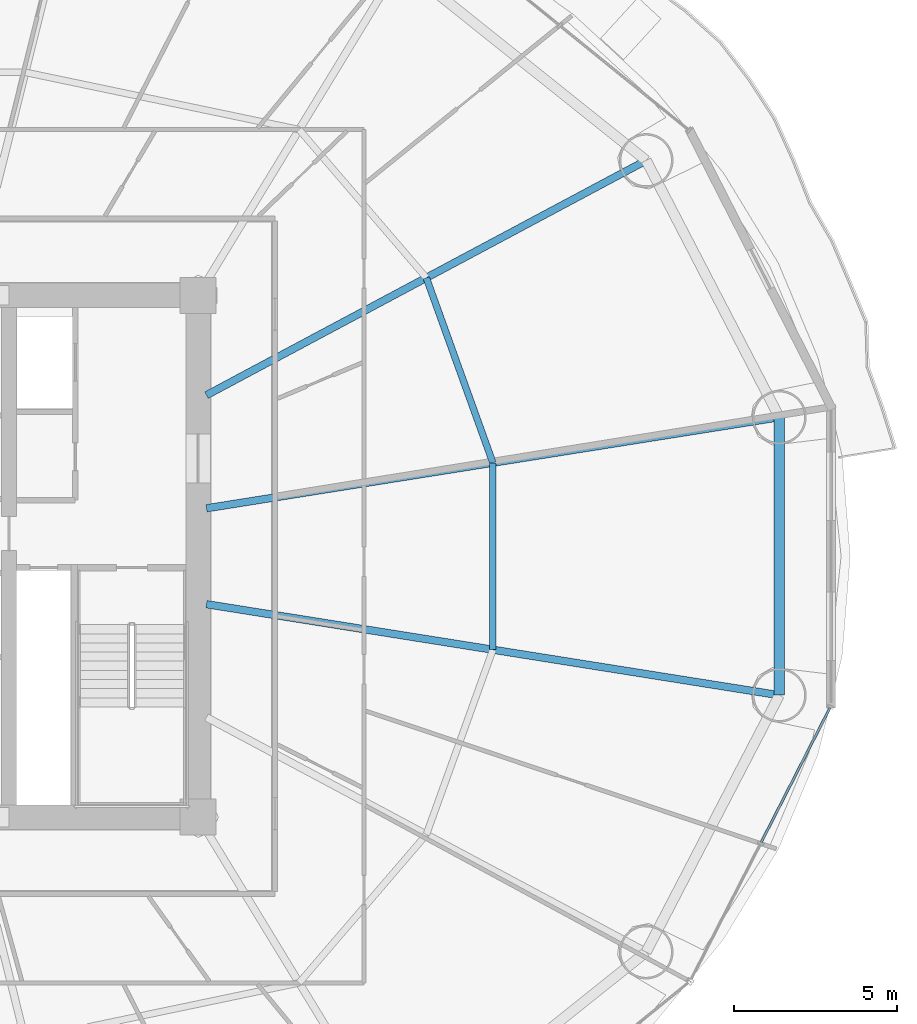
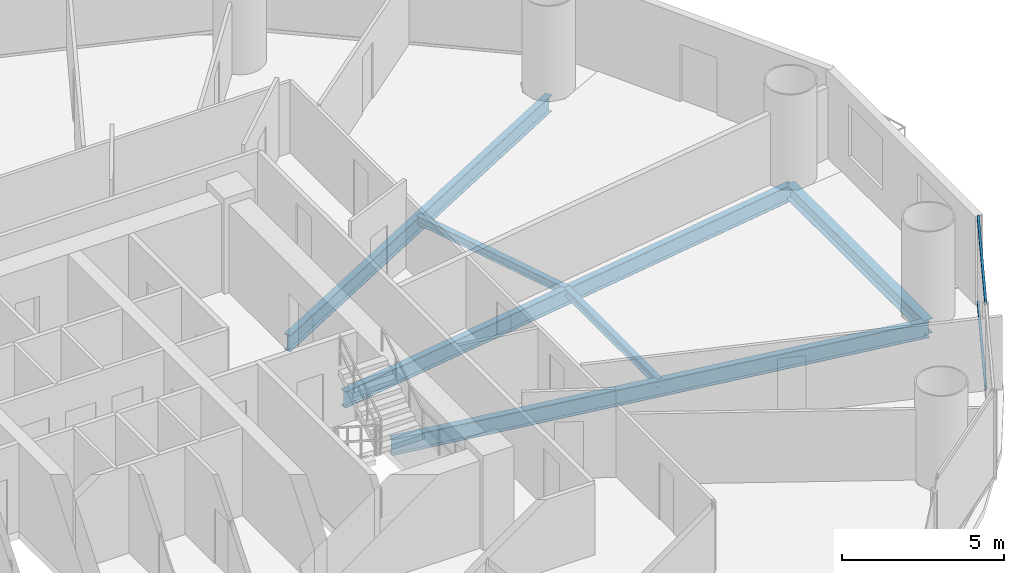
# One storey, part 11 of 28: 6 beams, 2 members, 1 element without a shape of its own.
"""IFC4 building model written with IfcOpenShell, lengths in metres."""

import ifcopenshell
import ifcopenshell.guid

model = None  # the IFC model being written
_history = None  # IfcOwnerHistory: only IFC2X3 demands one
_inside = {}  # id of a spatial element -> (the spatial element, [elements in it])
_under = {}  # id of a project, library or spatial element -> (it, [spatial elements below it])
_declared = {}  # id of a project -> (the project, [libraries it declares])
_typed = {}  # id of a type object -> (the type object, [elements of that type])
_made_of = {}  # id of a material, layer set ... -> (it, [elements and type objects made of it])


def new_model(schema):
    """Start an empty IFC model of exactly this schema.

    Asked for "IFC4X3", IfcOpenShell would pick the latest addendum, in which some entities
    have other attributes; the version numbers below select the first issue.
    IFC2X3 requires an IfcOwnerHistory on every rooted entity: one is made here for all.
    """
    global model, _history
    if schema == "IFC4X3":
        model = ifcopenshell.file(schema_version=(4, 3, 0, 0))
    else:
        model = ifcopenshell.file(schema=schema)
    _inside.clear()
    _under.clear()
    _declared.clear()
    _typed.clear()
    _made_of.clear()
    _history = None
    if model.schema == "IFC2X3":
        org = make("IfcOrganization", Name="unknown")
        user = make(
            "IfcPersonAndOrganization",
            ThePerson=make("IfcPerson", FamilyName="unknown"),
            TheOrganization=org,
        )
        app = make(
            "IfcApplication",
            ApplicationDeveloper=org,
            Version="unknown",
            ApplicationFullName="unknown",
            ApplicationIdentifier="unknown",
        )
        _history = make(
            "IfcOwnerHistory",
            OwningUser=user,
            OwningApplication=app,
            ChangeAction="ADDED",
            CreationDate=0,
        )
    return model


def make(cls, **values):
    """One entity of the class cls with the attributes given. An attribute that is None is left unset."""
    return model.create_entity(
        cls, **{name: value for name, value in values.items() if value is not None}
    )


def rooted(cls, **values):
    """An entity with a GlobalId (a new one), such as an element, a storey or a relation."""
    return make(cls, GlobalId=ifcopenshell.guid.new(), OwnerHistory=_history, **values)


def si_unit(unit_type, name, prefix=None):
    """IfcSIUnit, for example si_unit("LENGTHUNIT", "METRE", prefix="MILLI")."""
    return make("IfcSIUnit", UnitType=unit_type, Prefix=prefix, Name=name)


def assignment(units):
    """IfcUnitAssignment: the units of a project."""
    return None if units is None else make("IfcUnitAssignment", Units=units)


def point(xyz):
    """IfcCartesianPoint."""
    return None if xyz is None else make("IfcCartesianPoint", Coordinates=xyz)


def direction(xyz):
    """IfcDirection."""
    return None if xyz is None else make("IfcDirection", DirectionRatios=xyz)


def frame(location, z_axis=None, x_axis=None):
    """IfcAxis2Placement3D, a coordinate frame: its origin and axes. An axis left out is left unset."""
    return make(
        "IfcAxis2Placement3D",
        Location=point(location),
        Axis=direction(z_axis),
        RefDirection=direction(x_axis),
    )


def frame_2d(location, x_axis=None):
    """IfcAxis2Placement2D, a coordinate frame in the plane: its origin and x axis."""
    return make(
        "IfcAxis2Placement2D", Location=point(location), RefDirection=direction(x_axis)
    )


def origin():
    """The frame at (0, 0, 0) with its axes left unset."""
    return frame((0.0, 0.0, 0.0))


def origin_2d():
    """The frame at (0, 0) in the plane with its x axis left unset."""
    return frame_2d((0.0, 0.0))


def place(relative_to, where):
    """IfcLocalPlacement: puts the frame where relative to a parent placement (None: the world)."""
    return make(
        "IfcLocalPlacement", PlacementRelTo=relative_to, RelativePlacement=where
    )


def context(
    kind, dimensions, precision=None, world=None, true_north=None, identifier=None
):
    """IfcGeometricRepresentationContext, for example the 3D "Model" context."""
    return make(
        "IfcGeometricRepresentationContext",
        ContextIdentifier=identifier,
        ContextType=kind,
        CoordinateSpaceDimension=dimensions,
        Precision=precision,
        WorldCoordinateSystem=world,
        TrueNorth=true_north,
    )


def subcontext(parent, identifier, kind, view, scale=None):
    """IfcGeometricRepresentationSubContext, for example "Body" below "Model"."""
    return make(
        "IfcGeometricRepresentationSubContext",
        ContextIdentifier=identifier,
        ContextType=kind,
        ParentContext=parent,
        TargetScale=scale,
        TargetView=view,
    )


def project(units=None, contexts=None):
    """IfcProject with its units and contexts."""
    return rooted(
        "IfcProject",
        Name="project",
        RepresentationContexts=contexts,
        UnitsInContext=assignment(units),
    )


def spatial(cls, under=None, at=None, **own):
    """A site, building, storey or space (cls), placed at a placement, below another one or the project."""
    s = rooted(cls, ObjectPlacement=at, **own)
    if under is not None:
        _under.setdefault(under.id(), (under, []))[1].append(s)
    return s


def profile(cls, at=None, kind="AREA", **sizes):
    """A parametric profile (cls). Its sizes go by their IFC names, for example OverallWidth=200.0."""
    return make(cls, ProfileType=kind, Position=at, **sizes)


def hollow_rectangle(**sizes):
    """IfcRectangleHollowProfileDef."""
    return profile("IfcRectangleHollowProfileDef", **sizes)


def i_section(**sizes):
    """IfcIShapeProfileDef."""
    return profile("IfcIShapeProfileDef", **sizes)


def extrude(swept, where, along, depth):
    """IfcExtrudedAreaSolid: the profile swept, set in the frame where, extruded along a direction by depth."""
    return make(
        "IfcExtrudedAreaSolid",
        SweptArea=swept,
        Position=where,
        ExtrudedDirection=direction(along),
        Depth=depth,
    )


def shape(context_of_items, identifier, shape_type, items):
    """IfcShapeRepresentation: the items that make up one representation, for example the "Body"."""
    return make(
        "IfcShapeRepresentation",
        ContextOfItems=context_of_items,
        RepresentationIdentifier=identifier,
        RepresentationType=shape_type,
        Items=items,
    )


def source(mapping_origin, context_of_items, identifier, shape_type, items):
    """IfcRepresentationMap: a shape defined once, which mapped items show again and again."""
    return make(
        "IfcRepresentationMap",
        MappingOrigin=mapping_origin,
        MappedRepresentation=shape(context_of_items, identifier, shape_type, items),
    )


def transform(
    local_origin,
    x_axis=None,
    y_axis=None,
    z_axis=None,
    scale=None,
    scale2=None,
    scale3=None,
    uniform=True,
):
    """IfcCartesianTransformationOperator3D, or its non-uniform kind. x_axis, y_axis, z_axis: its Axis1, 2, 3."""
    if uniform:
        return make(
            "IfcCartesianTransformationOperator3D",
            Axis1=direction(x_axis),
            Axis2=direction(y_axis),
            LocalOrigin=point(local_origin),
            Scale=scale,
            Axis3=direction(z_axis),
        )
    return make(
        "IfcCartesianTransformationOperator3DnonUniform",
        Axis1=direction(x_axis),
        Axis2=direction(y_axis),
        LocalOrigin=point(local_origin),
        Scale=scale,
        Axis3=direction(z_axis),
        Scale2=scale2,
        Scale3=scale3,
    )


def mapped(mapping_source, mapping_target):
    """IfcMappedItem: shows the shape of a source again, moved by a transform."""
    return make(
        "IfcMappedItem", MappingSource=mapping_source, MappingTarget=mapping_target
    )


def material(Name=None, Category=None):
    """IfcMaterial."""
    return make("IfcMaterial", Name=Name, Category=Category)


def material_profile(
    of_material, cross_section, Name=None, Category=None, Priority=None
):
    """IfcMaterialProfile: a cross section and its material."""
    return make(
        "IfcMaterialProfile",
        Name=Name,
        Material=of_material,
        Profile=cross_section,
        Priority=Priority,
        Category=Category,
    )


def profile_set(profiles, Name=None, composite=None):
    """IfcMaterialProfileSet."""
    return make(
        "IfcMaterialProfileSet",
        Name=Name,
        MaterialProfiles=profiles,
        CompositeProfile=composite,
    )


def made_of(thing, what):
    """Note that an element or type object is made of a material, layer set ...; save() writes the relation."""
    if what is not None:
        _made_of.setdefault(what.id(), (what, []))[1].append(thing)
    return thing


def type_object(cls, material=None, **own):
    """A type object (cls), such as IfcWallType, which elements share."""
    return made_of(rooted(cls, **own), material)


def element(
    cls,
    number,
    at=None,
    inside=None,
    cuts=None,
    type_object=None,
    material=None,
    context=None,
    identifier="Body",
    shape_type=None,
    held_by="IfcProductDefinitionShape",
    body=None,
    shapes=None,
    **own,
):
    """One element of the class cls, such as IfcWall. Its Tag is "e" and its number.

    at: its placement. inside: the storey or other place that contains it. cuts: it is an
    opening in that element (IfcRelVoidsElement). A single representation is given by context,
    identifier, shape_type and body (its items); several are given by shapes. held_by: the class
    of the entity that holds the representations. save() writes the other relations.
    """
    e = rooted(cls, Tag="e%d" % number, ObjectPlacement=at, **own)
    if body is not None:
        shapes = [shape(context, identifier, shape_type, body)]
    if shapes is not None:
        e.Representation = make(held_by, Representations=shapes)
    if inside is not None:
        _inside.setdefault(inside.id(), (inside, []))[1].append(e)
    if cuts is not None:
        rooted(
            "IfcRelVoidsElement", RelatingBuildingElement=cuts, RelatedOpeningElement=e
        )
    if type_object is not None:
        _typed.setdefault(type_object.id(), (type_object, []))[1].append(e)
    return made_of(e, material)


def aggregate(whole, parts):
    """IfcRelAggregates: a whole, such as a stair, and the parts it consists of."""
    return rooted("IfcRelAggregates", RelatingObject=whole, RelatedObjects=parts)


def save(model, path):
    """Write the relations noted so far, then the file.

    IfcRelAggregates (storeys below a building ...), IfcRelContainedInSpatialStructure (elements
    in a storey), IfcRelDefinesByType, IfcRelAssociatesMaterial and IfcRelDeclares: one each for
    every whole, place, type object, material and project.
    """
    for whole, parts in _under.values():
        aggregate(whole, parts)
    for where, things in _inside.values():
        rooted(
            "IfcRelContainedInSpatialStructure",
            RelatedElements=things,
            RelatingStructure=where,
        )
    for kind, things in _typed.values():
        rooted("IfcRelDefinesByType", RelatedObjects=things, RelatingType=kind)
    for what, things in _made_of.values():
        rooted("IfcRelAssociatesMaterial", RelatedObjects=things, RelatingMaterial=what)
    for by, libraries in _declared.values():
        rooted("IfcRelDeclares", RelatingContext=by, RelatedDefinitions=libraries)
    model.write(path)


model = new_model("IFC4")

# Units and contexts
model_context = context("Model", 3, precision=1e-05, world=origin(), true_north=direction((-0.2419218956, 0.970295726276)))
body_context = subcontext(model_context, "Body", "Model", "MODEL_VIEW")
ifc_project = project(units=[si_unit("LENGTHUNIT", "METRE"), si_unit("AREAUNIT", "SQUARE_METRE"), si_unit("VOLUMEUNIT", "CUBIC_METRE"), si_unit("PLANEANGLEUNIT", "RADIAN"), si_unit("MASSUNIT", "GRAM", prefix="KILO")], contexts=[model_context])

# Site, building, storey
site_placement = place(None, origin())
site = spatial("IfcSite", under=ifc_project, at=site_placement, CompositionType="ELEMENT")
building_placement = place(site_placement, origin())
building = spatial("IfcBuilding", under=site, at=building_placement, Name="Cobrevalo Terracotta Tower", CompositionType="ELEMENT")
storey_placement = place(building_placement, frame((0.0, 0.0, 34.800048828125)))
storey = spatial("IfcBuildingStorey", under=building, at=storey_placement, Name="L08", CompositionType="ELEMENT", Elevation=34.800048828125)

# Beams
ifc_material_1 = material(Name="Steel S355", Category="steel")
ifc_material_profile_1 = material_profile(ifc_material_1, i_section(OverallWidth=0.22998046875, OverallDepth=0.616943359375, WebThickness=0.01318359375, FlangeThickness=0.022216796875, at=origin_2d()), Name="W 610x140")
ifc_profile_set_1 = profile_set([ifc_material_profile_1], Name="Steel S355")
beam_type_1 = type_object("IfcBeamType", Name="Structural Beam W 610x140 (Steel S355)", PredefinedType="BEAM", material=ifc_profile_set_1)
beam_1_placement = place(storey_placement, frame((64.824462890625, 31.062744140625, -0.588623046875), z_axis=(-0.987607924622, -0.156941349628, 0.0), x_axis=(0.156941349628, -0.987607924622, 0.0)))
element("IfcBeam", 1, at=beam_1_placement, inside=storey, type_object=beam_type_1, Name="L08 radial floor girder 01", PredefinedType="BEAM", context=body_context, shape_type="SweptSolid", body=[
    extrude(i_section(OverallWidth=0.22998046875, OverallDepth=0.616943359375, WebThickness=0.01318359375, FlangeThickness=0.022216796875, at=origin_2d()), origin(), (0.0, 0.0, 1.0), 17.7900390625),
])
beam_2_placement = place(storey_placement, frame((60.74072265625, 38.939208984375, -0.588623046875), z_axis=(-0.88218223571, -0.470908168329, 0.0), x_axis=(0.470908168329, -0.88218223571, 0.0)))
element("IfcBeam", 2, at=beam_2_placement, inside=storey, type_object=beam_type_1, Name="L08 radial floor girder 02", PredefinedType="BEAM", context=body_context, shape_type="SweptSolid", body=[
    extrude(i_section(OverallWidth=0.22998046875, OverallDepth=0.616943359375, WebThickness=0.01318359375, FlangeThickness=0.022216796875, at=origin_2d()), origin(), (0.0, 0.0, 1.0), 15.286865234375),
])
beam_3_placement = place(storey_placement, frame((64.824462890625, 22.537353515625, -0.588623046875), z_axis=(-0.987607924622, 0.156941349628, 0.0), x_axis=(-0.156941349628, -0.987607924622, 0.0)))
element("IfcBeam", 3, at=beam_3_placement, inside=storey, type_object=beam_type_1, Name="L08 radial floor girder 16", PredefinedType="BEAM", context=body_context, shape_type="SweptSolid", body=[
    extrude(i_section(OverallWidth=0.22998046875, OverallDepth=0.616943359375, WebThickness=0.01318359375, FlangeThickness=0.022216796875, at=origin_2d()), origin(), (0.0, 0.0, 1.0), 17.7900390625),
])
ifc_material_profile_2 = material_profile(ifc_material_1, i_section(OverallWidth=0.2041015625, OverallDepth=0.305908203125, WebThickness=0.008544921875, FlangeThickness=0.0146484375, at=origin_2d()), Name="W 310x67")
ifc_profile_set_2 = profile_set([ifc_material_profile_2], Name="Steel S355")
beam_type_2 = type_object("IfcBeamType", Name="Structural Joist W 310x67 (Steel S355)", PredefinedType="JOIST", material=ifc_profile_set_2)
beam_4_placement = place(storey_placement, frame((56.039794921875, 29.666748046875, -0.43310546875), z_axis=(-0.338672151116, 0.940904444701, 0.0), x_axis=(-0.940904444701, -0.338672151116, 0.0)))
element("IfcBeam", 4, at=beam_4_placement, inside=storey, type_object=beam_type_2, Name="L08 circumferential secondary floor joist 01", PredefinedType="JOIST", context=body_context, shape_type="SweptSolid", body=[
    extrude(i_section(OverallWidth=0.2041015625, OverallDepth=0.305908203125, WebThickness=0.008544921875, FlangeThickness=0.0146484375, at=origin_2d()), origin(), (0.0, 0.0, 1.0), 6.029296875),
])
beam_5_placement = place(storey_placement, frame((56.039794921875, 23.933349609375, -0.43310546875), z_axis=(0.0, 1.0, 0.0), x_axis=(-1.0, 0.0, 0.0)))
element("IfcBeam", 5, at=beam_5_placement, inside=storey, type_object=beam_type_2, Name="L08 circumferential secondary floor joist 16", PredefinedType="JOIST", context=body_context, shape_type="SweptSolid", body=[
    extrude(i_section(OverallWidth=0.2041015625, OverallDepth=0.305908203125, WebThickness=0.008544921875, FlangeThickness=0.0146484375, at=origin_2d()), origin(), (0.0, 0.0, 1.0), 5.7333984375),
])
ifc_material_profile_3 = material_profile(ifc_material_1, i_section(OverallWidth=0.31201171875, OverallDepth=0.54296875, WebThickness=0.0126953125, FlangeThickness=0.020263671875, at=origin_2d()), Name="W 530x150")
ifc_profile_set_3 = profile_set([ifc_material_profile_3], Name="Steel S355")
beam_type_3 = type_object("IfcBeamType", Name="Structural Spandrel W 530x150 (Steel S355)", PredefinedType="SPANDREL", material=ifc_profile_set_3)
beam_6_placement = place(storey_placement, frame((64.824462890625, 22.537353515625, -0.551513671875), z_axis=(0.0, 1.0, 0.0), x_axis=(-1.0, 0.0, 0.0)))
element("IfcBeam", 6, at=beam_6_placement, inside=storey, type_object=beam_type_3, Name="L08 perimeter ring spandrel 16", PredefinedType="SPANDREL", context=body_context, shape_type="SweptSolid", body=[
    extrude(i_section(OverallWidth=0.31201171875, OverallDepth=0.54296875, WebThickness=0.0126953125, FlangeThickness=0.020263671875, at=origin_2d()), origin(), (0.0, 0.0, 1.0), 8.525390625),
])

# Curtain wall, members
ifc_material_2 = material(Name="Anodized aluminium", Category="aluminium")
curtain_wall_type = type_object("IfcCurtainWallType", Name="Lower-tower unitised acoustic low-E curtain wall CW-U1", PredefinedType="NOTDEFINED", material=ifc_material_2)
curtain_wall_placement = place(storey_placement, origin())
curtain_wall = element("IfcCurtainWall", 7, at=curtain_wall_placement, inside=storey, type_object=curtain_wall_type, Name="L08 curtain wall CW-L08-S15", PredefinedType="NOTDEFINED")
ifc_material_profile_4 = material_profile(ifc_material_2, hollow_rectangle(XDim=0.074951171875, YDim=0.14990234375, WallThickness=0.00439453125, at=origin_2d()), Name="CWT 75x150")
ifc_profile_set_4 = profile_set([ifc_material_profile_4], Name="Anodized aluminium")
member_type = type_object("IfcMemberType", Name="Tower unitised aluminium transom 75x150", PredefinedType="USERDEFINED", material=ifc_profile_set_4)
shared_shape = source(origin(), body_context, "Body", "SweptSolid", [
    extrude(hollow_rectangle(XDim=0.074951171875, YDim=0.14990234375, WallThickness=0.00439453125, at=origin_2d()), origin(), (0.0, 0.0, 1.0), 4.630859375),
])
member_1_placement = place(storey_placement, frame((64.268798828125, 18.026611328125, 0.050048828125), z_axis=(0.455229952508, 0.890373904795, 0.0), x_axis=(-0.890373904795, 0.455229952508, 0.0)))
member_1 = element("IfcMember", 8, at=member_1_placement, type_object=member_type, Name="CW-L08-S15 transom B02-T1", ObjectType="TRANSOM", PredefinedType="USERDEFINED", context=body_context, shape_type="MappedRepresentation", body=[
    mapped(shared_shape, transform((0.0, 0.0, 0.0), scale=1.0)),
])
member_2_placement = place(storey_placement, frame((64.268798828125, 18.026611328125, 3.27001953125), z_axis=(0.455229952508, 0.890373904795, 0.0), x_axis=(-0.890373904795, 0.455229952508, 0.0)))
member_2 = element("IfcMember", 9, at=member_2_placement, type_object=member_type, Name="CW-L08-S15 transom B02-T2", ObjectType="TRANSOM", PredefinedType="USERDEFINED", context=body_context, shape_type="MappedRepresentation", body=[
    mapped(shared_shape, transform((0.0, 0.0, 0.0), scale=1.0)),
])
aggregate(curtain_wall, [member_1, member_2])

save(model, "model.ifc")
